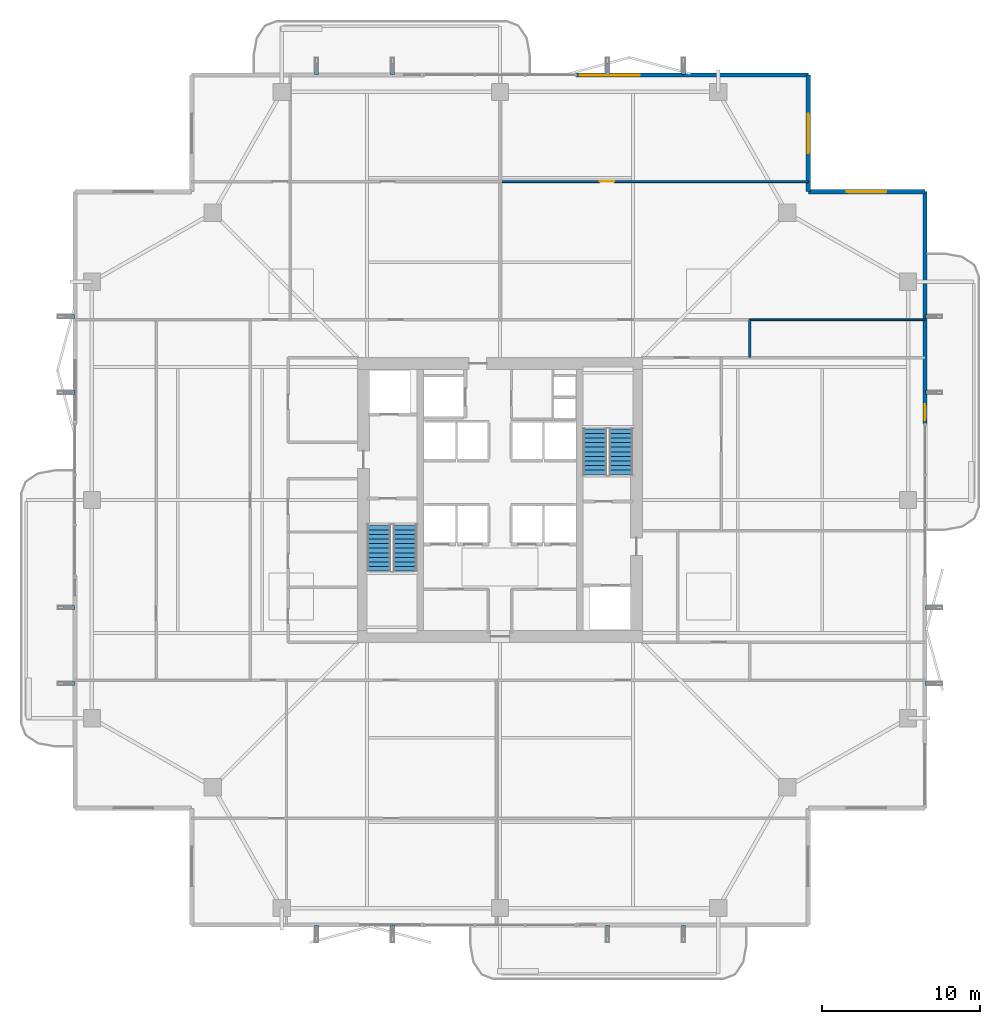
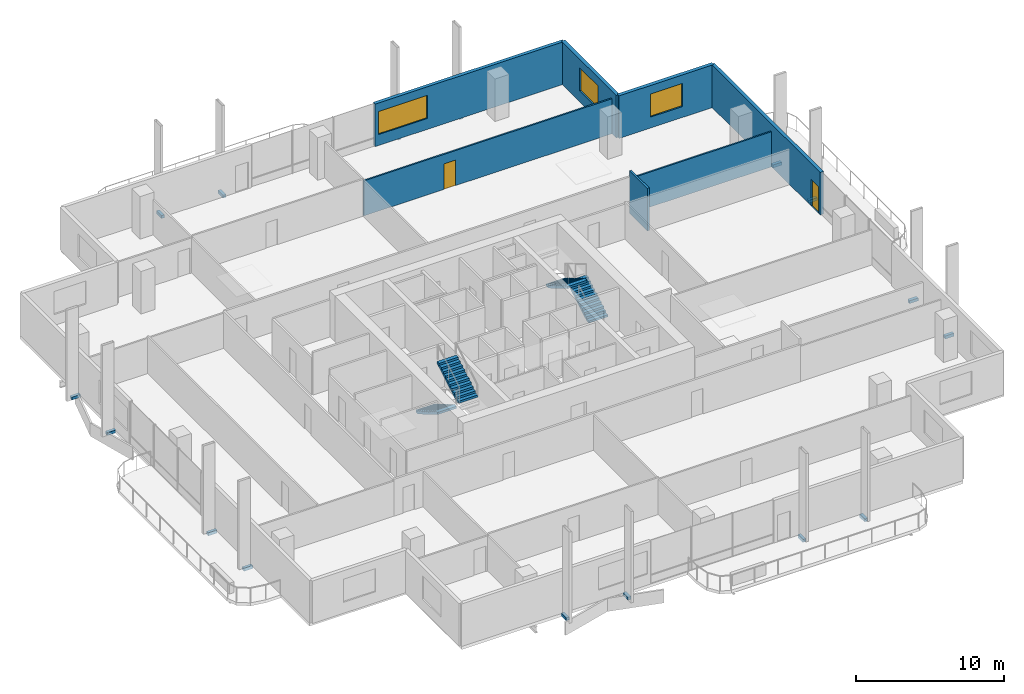
# One storey, part 20 of 24: 16 discrete accessories, 7 walls, 4 stair flights, 3 windows, 2 doors, 5 openings, 2 elements without a shape of their own.
"""IFC4 building model written with IfcOpenShell, lengths in metres."""

from ifc_helpers import new_model, si_unit, direction, frame, frame_2d, origin, origin_2d, place, context, subcontext, project, spatial, polyline, rectangle, outline, extrude, material, layer, layer_set, type_object, element, fill, aggregate, save


model = new_model("IFC4")

# Units and contexts
model_context = context("Model", 3, precision=1e-05, world=origin(), true_north=direction((0.0, 1.0)))
body_context = subcontext(model_context, "Body", "Model", "MODEL_VIEW")
ifc_project = project(units=[si_unit("LENGTHUNIT", "METRE"), si_unit("AREAUNIT", "SQUARE_METRE"), si_unit("VOLUMEUNIT", "CUBIC_METRE"), si_unit("PLANEANGLEUNIT", "RADIAN"), si_unit("MASSUNIT", "GRAM", prefix="KILO")], contexts=[model_context])

# Site, building, storey
site_placement = place(None, origin())
site = spatial("IfcSite", under=ifc_project, at=site_placement, CompositionType="ELEMENT")
building_placement = place(site_placement, origin())
building = spatial("IfcBuilding", under=site, at=building_placement, Name="Belovzor Exchange Tower", CompositionType="ELEMENT")
storey_placement = place(building_placement, frame((0.0, 0.0, 226.199951171875)))
storey = spatial("IfcBuildingStorey", under=building, at=storey_placement, Name="L56", CompositionType="ELEMENT", Elevation=226.199951171875)

# Wall, opening, door
ifc_material_1 = material(Name="Acoustic Plasterboard on Galvanised Studs", Category="gypsum")
ifc_layer_1 = layer(ifc_material_1, 0.1201171875)
ifc_layer_set_1 = layer_set([ifc_layer_1], Name="Acoustic Plasterboard on Galvanised Studs")
wall_type_1 = type_object("IfcWallType", Name="Acoustic Double-Stud Partition Wall 120", PredefinedType="PARTITIONING", material=ifc_layer_set_1)
wall_1_placement = place(storey_placement, frame((28.864990234375, 48.93505859375, 0.0), z_axis=(0.0, 0.0, 1.0), x_axis=(1.0, 0.0, 0.0)))
wall_1 = element("IfcWall", 1, at=wall_1_placement, inside=storey, type_object=wall_type_1, Name="W-P120 Partition Wall W-L56-NHDIV-2", PredefinedType="PARTITIONING", context=body_context, shape_type="SweptSolid", body=[
    extrude(rectangle(XDim=19.43505859375, YDim=0.1201171875, at=frame_2d((9.717529296875, 0.0))), origin(), (0.0, 0.0, 1.0), 2.885009765625),
])
opening_1_placement = place(wall_1_placement, frame((6.2451171875, 0.0, 0.0)))
opening_1 = element("IfcOpeningElement", 2, at=opening_1_placement, cuts=wall_1, Name="Opening D-INT-090", PredefinedType="OPENING", context=body_context, shape_type="SweptSolid", body=[
    extrude(rectangle(XDim=0.89990234375, YDim=2.10009765625, at=frame_2d((0.449951171875, 1.050048828125))), frame((0.0, 0.070068359375, 0.0), z_axis=(0.0, -1.0, 0.0), x_axis=(1.0, 0.0, 0.0)), (0.0, 0.0, 1.0), 0.14013671875),
])
ifc_material_2 = material(Name="Veneered Hardwood Acoustic Leaf", Category="wood")
door_type_1 = type_object("IfcDoorType", Name="Trading Suite Acoustic Single Door 900x2100", OperationType="NOTDEFINED", PredefinedType="DOOR", material=ifc_material_2)
door_1_placement = place(opening_1_placement, origin())
door_1 = element("IfcDoor", 3, at=door_1_placement, inside=storey, type_object=door_type_1, Name="D-INT-090 Trading Suite Acoustic Single Door 900x2100", OperationType="SINGLE_SWING_RIGHT", OverallHeight=2.10009765625, OverallWidth=0.89990234375, PredefinedType="DOOR", context=body_context, shape_type="SweptSolid", body=[
    extrude(rectangle(XDim=0.89990234375, YDim=2.10009765625, at=frame_2d((0.449951171875, 1.050048828125))), frame((0.0, 0.02490234375, 0.0), z_axis=(0.0, -1.0, 0.0), x_axis=(1.0, 0.0, 0.0)), (0.0, 0.0, 1.0), 0.050048828125),
])
fill(opening_1, door_1)

# Walls
wall_2_placement = place(storey_placement, frame((44.60009765625, 40.199951171875, 0.0), z_axis=(0.0, 0.0, 1.0), x_axis=(1.0, 0.0, 0.0)))
element("IfcWall", 4, at=wall_2_placement, inside=storey, type_object=wall_type_1, Name="W-P120 Partition Wall W-L56-END-NE", PredefinedType="PARTITIONING", context=body_context, shape_type="SweptSolid", body=[
    extrude(rectangle(XDim=11.06982421875, YDim=0.1201171875, at=frame_2d((5.534912109375, 0.0))), origin(), (0.0, 0.0, 1.0), 2.885009765625),
])
ifc_material_3 = material(Name="Fire-Rated Gypsum Block and Mineral Wool", Category="gypsum")
ifc_layer_2 = layer(ifc_material_3, 0.14990234375)
ifc_layer_set_2 = layer_set([ifc_layer_2], Name="Fire-Rated Gypsum Block and Mineral Wool")
wall_type_2 = type_object("IfcWallType", Name="Fire-Rated Gypsum Block Corridor Wall 150", PredefinedType="PARTITIONING", material=ifc_layer_set_2)
wall_3_placement = place(storey_placement, frame((44.60009765625, 37.800048828125, 0.0), z_axis=(0.0, 0.0, 1.0), x_axis=(0.0, 1.0, 0.0)))
element("IfcWall", 5, at=wall_3_placement, inside=storey, type_object=wall_type_2, Name="W-P150 Partition Wall W-L56-END-EN", PredefinedType="PARTITIONING", context=body_context, shape_type="SweptSolid", body=[
    extrude(rectangle(XDim=2.39990234375, YDim=0.14990234375, at=frame_2d((1.199951171875, 0.0))), origin(), (0.0, 0.0, 1.0), 3.5),
])

# Wall, opening, window
ifc_material_4 = material(Name="Precast concrete C40/50", Category="concrete")
ifc_layer_3 = layer(ifc_material_4, 0.280029296875)
ifc_layer_set_3 = layer_set([ifc_layer_3], Name="Precast concrete C40/50")
wall_type_3 = type_object("IfcWallType", Name="Precast Concrete Notched Corner Frame Wall 280", PredefinedType="SOLIDWALL", material=ifc_layer_set_3)
wall_4_placement = place(storey_placement, frame((48.300048828125, 55.669921875, 0.0), z_axis=(0.0, 0.0, 1.0), x_axis=(0.0, -1.0, 0.0)))
wall_4 = element("IfcWall", 6, at=wall_4_placement, inside=storey, type_object=wall_type_3, Name="W-CRN280 Precast Concrete Notched Corner Frame Wall 280 L56", PredefinedType="SOLIDWALL", context=body_context, shape_type="SweptSolid", body=[
    extrude(rectangle(XDim=7.369873046875, YDim=0.280029296875, at=frame_2d((3.68505859375, 0.0))), origin(), (0.0, 0.0, 1.0), 3.5),
])
opening_2_placement = place(wall_4_placement, frame((2.43505859375, 0.0, 0.89990234375)))
opening_2 = element("IfcOpeningElement", 7, at=opening_2_placement, cuts=wall_4, Name="Opening WN-CRN250", PredefinedType="OPENING", context=body_context, shape_type="SweptSolid", body=[
    extrude(rectangle(XDim=2.5, YDim=1.89990234375, at=frame_2d((1.25, 0.949951171875))), frame((0.0, 0.14990234375, 0.0), z_axis=(0.0, -1.0, 0.0), x_axis=(1.0, 0.0, 0.0)), (0.0, 0.0, 1.0), 0.300048828125),
])
ifc_material_5 = material(Name="Thermally Broken Aluminium and Triple Glazing", Category="aluminium")
window_type_1 = type_object("IfcWindowType", Name="Streamline Moderne Corner Wrap Ribbon Window 2500x1900", PartitioningType="SINGLE_PANEL", PredefinedType="WINDOW", material=ifc_material_5)
window_1_placement = place(opening_2_placement, origin())
window_1 = element("IfcWindow", 8, at=window_1_placement, inside=storey, type_object=window_type_1, Name="WN-CRN250 Streamline Moderne Corner Wrap Ribbon Window 2500x1900", OverallHeight=1.89990234375, OverallWidth=2.5, PartitioningType="SINGLE_PANEL", PredefinedType="WINDOW", context=body_context, shape_type="SweptSolid", body=[
    extrude(rectangle(XDim=2.5, YDim=1.89990234375, at=frame_2d((1.25, 0.949951171875))), frame((0.0, 0.030029296875, 0.0), z_axis=(0.0, -1.0, 0.0), x_axis=(1.0, 0.0, 0.0)), (0.0, 0.0, 1.0), 0.06005859375),
])
fill(opening_2, window_1)

wall_5_placement = place(storey_placement, frame((48.300048828125, 48.300048828125, 0.0), z_axis=(0.0, 0.0, 1.0), x_axis=(1.0, 0.0, 0.0)))
wall_5 = element("IfcWall", 9, at=wall_5_placement, inside=storey, type_object=wall_type_3, Name="W-CRN280 Precast Concrete Notched Corner Frame Wall 280 L56", PredefinedType="SOLIDWALL", context=body_context, shape_type="SweptSolid", body=[
    extrude(rectangle(XDim=7.369873046875, YDim=0.280029296875, at=frame_2d((3.68505859375, 0.0))), origin(), (0.0, 0.0, 1.0), 3.5),
])
opening_3_placement = place(wall_5_placement, frame((2.43505859375, 0.0, 0.89990234375)))
opening_3 = element("IfcOpeningElement", 10, at=opening_3_placement, cuts=wall_5, Name="Opening WN-CRN250", PredefinedType="OPENING", context=body_context, shape_type="SweptSolid", body=[
    extrude(rectangle(XDim=2.5, YDim=1.89990234375, at=frame_2d((1.25, 0.949951171875))), frame((0.0, 0.14990234375, 0.0), z_axis=(0.0, -1.0, 0.0), x_axis=(1.0, 0.0, 0.0)), (0.0, 0.0, 1.0), 0.300048828125),
])
window_2_placement = place(opening_3_placement, origin())
window_2 = element("IfcWindow", 11, at=window_2_placement, inside=storey, type_object=window_type_1, Name="WN-CRN250 Streamline Moderne Corner Wrap Ribbon Window 2500x1900", OverallHeight=1.89990234375, OverallWidth=2.5, PartitioningType="SINGLE_PANEL", PredefinedType="WINDOW", context=body_context, shape_type="SweptSolid", body=[
    extrude(rectangle(XDim=2.5, YDim=1.89990234375, at=frame_2d((1.25, 0.949951171875))), frame((0.0, 0.030029296875, 0.0), z_axis=(0.0, -1.0, 0.0), x_axis=(1.0, 0.0, 0.0)), (0.0, 0.0, 1.0), 0.06005859375),
])
fill(opening_3, window_2)

ifc_material_6 = material(Name="Precast concrete C40/50", Category="concrete")
ifc_layer_4 = layer(ifc_material_6, 0.260009765625)
ifc_layer_set_4 = layer_set([ifc_layer_4], Name="Precast concrete C40/50")
wall_type_4 = type_object("IfcWallType", Name="Precast Concrete Perimeter Loggia Frame Wall 260", PredefinedType="SOLIDWALL", material=ifc_layer_set_4)
wall_6_placement = place(storey_placement, frame((33.60009765625, 55.669921875, 0.0), z_axis=(0.0, 0.0, 1.0), x_axis=(1.0, 0.0, 0.0)))
wall_6 = element("IfcWall", 12, at=wall_6_placement, inside=storey, type_object=wall_type_4, Name="W-EXT260 Precast Concrete Perimeter Loggia Frame Wall 260 L56", PredefinedType="SOLIDWALL", context=body_context, shape_type="SweptSolid", body=[
    extrude(rectangle(XDim=14.699951171875, YDim=0.260009765625, at=frame_2d((7.35009765625, 0.0))), origin(), (0.0, 0.0, 1.0), 3.5),
])
opening_4_placement = place(wall_6_placement, frame((0.25, 0.0, 0.89990234375)))
opening_4 = element("IfcOpeningElement", 13, at=opening_4_placement, cuts=wall_6, Name="Opening WN-RIB380", PredefinedType="OPENING", context=body_context, shape_type="SweptSolid", body=[
    extrude(rectangle(XDim=3.800048828125, YDim=1.89990234375, at=frame_2d((1.89990234375, 0.949951171875))), frame((0.0, 0.139892578125, 0.0), z_axis=(0.0, -1.0, 0.0), x_axis=(1.0, 0.0, 0.0)), (0.0, 0.0, 1.0), 0.280029296875),
])
ifc_material_7 = material(Name="Thermally Broken Aluminium and Triple Glazing", Category="aluminium")
window_type_2 = type_object("IfcWindowType", Name="Streamline Moderne Horizontal Ribbon Window 3800x1900", PartitioningType="SINGLE_PANEL", PredefinedType="WINDOW", material=ifc_material_7)
window_3_placement = place(opening_4_placement, origin())
window_3 = element("IfcWindow", 14, at=window_3_placement, inside=storey, type_object=window_type_2, Name="WN-RIB380 Streamline Moderne Horizontal Ribbon Window 3800x1900", OverallHeight=1.89990234375, OverallWidth=3.800048828125, PartitioningType="SINGLE_PANEL", PredefinedType="WINDOW", context=body_context, shape_type="SweptSolid", body=[
    extrude(rectangle(XDim=3.800048828125, YDim=1.89990234375, at=frame_2d((1.89990234375, 0.949951171875))), frame((0.0, 0.030029296875, 0.0), z_axis=(0.0, -1.0, 0.0), x_axis=(1.0, 0.0, 0.0)), (0.0, 0.0, 1.0), 0.06005859375),
])
fill(opening_4, window_3)

# Wall, opening, door
wall_7_placement = place(storey_placement, frame((55.669921875, 48.300048828125, 0.0), z_axis=(0.0, 0.0, 1.0), x_axis=(0.0, -1.0, 0.0)))
wall_7 = element("IfcWall", 15, at=wall_7_placement, inside=storey, type_object=wall_type_4, Name="W-EXT260 Precast Concrete Perimeter Loggia Frame Wall 260 L56", PredefinedType="SOLIDWALL", context=body_context, shape_type="SweptSolid", body=[
    extrude(rectangle(XDim=14.699951171875, YDim=0.260009765625, at=frame_2d((7.35009765625, 0.0))), origin(), (0.0, 0.0, 1.0), 3.5),
])
opening_5_placement = place(wall_7_placement, frame((13.449951171875, 0.0, 0.0)))
opening_5 = element("IfcOpeningElement", 16, at=opening_5_placement, cuts=wall_7, Name="Opening D-BAL100", PredefinedType="OPENING", context=body_context, shape_type="SweptSolid", body=[
    extrude(rectangle(XDim=1.0, YDim=2.199951171875, at=frame_2d((0.5, 1.10009765625))), frame((0.0, 0.139892578125, 0.0), z_axis=(0.0, -1.0, 0.0), x_axis=(1.0, 0.0, 0.0)), (0.0, 0.0, 1.0), 0.280029296875),
])
ifc_material_8 = material(Name="Thermally Broken Anodised Aluminium and Laminated Glass", Category="aluminium")
door_type_2 = type_object("IfcDoorType", Name="Planted Loggia Terrace Glazed Door 1000x2200", OperationType="SINGLE_SWING_LEFT", PredefinedType="DOOR", material=ifc_material_8)
door_2_placement = place(opening_5_placement, origin())
door_2 = element("IfcDoor", 17, at=door_2_placement, inside=storey, type_object=door_type_2, Name="D-BAL100 Balcony Terrace Door L56 E", OperationType="SINGLE_SWING_LEFT", OverallHeight=2.199951171875, OverallWidth=1.0, PredefinedType="DOOR", context=body_context, shape_type="SweptSolid", body=[
    extrude(rectangle(XDim=1.0, YDim=2.199951171875, at=frame_2d((0.5, 1.10009765625))), frame((0.0, 0.02490234375, 0.0), z_axis=(0.0, -1.0, 0.0), x_axis=(1.0, 0.0, 0.0)), (0.0, 0.0, 1.0), 0.050048828125),
])
fill(opening_5, door_2)

# Stair, stair flights
ifc_material_9 = material(Name="Concrete C40/50", Category="concrete")
stair_type = type_object("IfcStairType", Name="Reinforced Concrete Dogleg Escape Stair 1350", PredefinedType="HALF_TURN_STAIR", material=ifc_material_9)
stair_1_placement = place(storey_placement, origin())
stair_1 = element("IfcStair", 18, at=stair_1_placement, inside=storey, type_object=stair_type, Name="L56 ST-1", PredefinedType="HALF_TURN_STAIR")
ifc_material_10 = material(Name="Concrete C40/50", Category="concrete")
stair_flight_type = type_object("IfcStairFlightType", Name="Reinforced Concrete Stair Flight 1350", PredefinedType="STRAIGHT", material=ifc_material_10)
stair_flight_1_placement = place(storey_placement, frame((21.14990234375, 27.199951171875, 0.0), z_axis=(0.0, 0.0, 1.0), x_axis=(0.0, -1.0, 0.0)))
stair_flight_1 = element("IfcStairFlight", 19, at=stair_flight_1_placement, type_object=stair_flight_type, Name="ST-1 flight 1", NumberOfRisers=11, NumberOfTreads=10, PredefinedType="STRAIGHT", RiserHeight=0.170454545, TreadLength=0.29, context=body_context, shape_type="SweptSolid", body=[
    extrude(outline(polyline([(0.0, 0.0), (0.0, 0.17041015625), (0.2900390625, 0.17041015625), (0.2900390625, 0.3408203125), (0.580078125, 0.3408203125), (0.580078125, 0.511474609375), (0.8701171875, 0.511474609375), (0.8701171875, 0.681884765625), (1.159912109375, 0.681884765625), (1.159912109375, 0.852294921875), (1.449951171875, 0.852294921875), (1.449951171875, 1.022705078125), (1.739990234375, 1.022705078125), (1.739990234375, 1.193115234375), (2.030029296875, 1.193115234375), (2.030029296875, 1.363525390625), (2.320068359375, 1.363525390625), (2.320068359375, 1.5341796875), (2.610107421875, 1.5341796875), (2.610107421875, 1.70458984375), (2.89990234375, 1.70458984375), (2.89990234375, 1.875), (2.89990234375, 1.53076171875), (0.2958984375, 0.0), (0.0, 0.0)])), frame((0.0, 0.75, 0.0), z_axis=(0.0, -1.0, 0.0), x_axis=(1.0, 0.0, 0.0)), (0.0, 0.0, 1.0), 1.5),
])
stair_flight_2_placement = place(storey_placement, frame((22.800048828125, 24.300048828125, 1.875), z_axis=(0.0, 0.0, 1.0), x_axis=(0.0, 1.0, 0.0)))
stair_flight_2 = element("IfcStairFlight", 20, at=stair_flight_2_placement, type_object=stair_flight_type, Name="ST-1 flight 2", NumberOfRisers=11, NumberOfTreads=10, PredefinedType="STRAIGHT", RiserHeight=0.170454545, TreadLength=0.29, context=body_context, shape_type="SweptSolid", body=[
    extrude(outline(polyline([(0.0, 0.0), (0.0, 0.17041015625), (0.2900390625, 0.17041015625), (0.2900390625, 0.3408203125), (0.580078125, 0.3408203125), (0.580078125, 0.511474609375), (0.8701171875, 0.511474609375), (0.8701171875, 0.681884765625), (1.159912109375, 0.681884765625), (1.159912109375, 0.852294921875), (1.449951171875, 0.852294921875), (1.449951171875, 1.022705078125), (1.739990234375, 1.022705078125), (1.739990234375, 1.193115234375), (2.030029296875, 1.193115234375), (2.030029296875, 1.363525390625), (2.320068359375, 1.363525390625), (2.320068359375, 1.5341796875), (2.610107421875, 1.5341796875), (2.610107421875, 1.70458984375), (2.89990234375, 1.70458984375), (2.89990234375, 1.875), (2.89990234375, 1.53076171875), (0.2958984375, 0.0), (0.0, 0.0)])), frame((0.0, 0.75, 0.0), z_axis=(0.0, -1.0, 0.0), x_axis=(1.0, 0.0, 0.0)), (0.0, 0.0, 1.0), 1.5),
])
aggregate(stair_1, [stair_flight_1, stair_flight_2])

stair_2_placement = place(storey_placement, origin())
stair_2 = element("IfcStair", 21, at=stair_2_placement, inside=storey, type_object=stair_type, Name="L56 ST-2", PredefinedType="HALF_TURN_STAIR")
stair_flight_3_placement = place(storey_placement, frame((36.449951171875, 30.39990234375, 0.0), z_axis=(0.0, 0.0, 1.0), x_axis=(0.0, 1.0, 0.0)))
stair_flight_3 = element("IfcStairFlight", 22, at=stair_flight_3_placement, type_object=stair_flight_type, Name="ST-2 flight 1", NumberOfRisers=11, NumberOfTreads=10, PredefinedType="STRAIGHT", RiserHeight=0.170454545, TreadLength=0.29, context=body_context, shape_type="SweptSolid", body=[
    extrude(outline(polyline([(0.0, 0.0), (0.0, 0.17041015625), (0.2900390625, 0.17041015625), (0.2900390625, 0.3408203125), (0.580078125, 0.3408203125), (0.580078125, 0.511474609375), (0.8701171875, 0.511474609375), (0.8701171875, 0.681884765625), (1.159912109375, 0.681884765625), (1.159912109375, 0.852294921875), (1.449951171875, 0.852294921875), (1.449951171875, 1.022705078125), (1.739990234375, 1.022705078125), (1.739990234375, 1.193115234375), (2.030029296875, 1.193115234375), (2.030029296875, 1.363525390625), (2.320068359375, 1.363525390625), (2.320068359375, 1.5341796875), (2.610107421875, 1.5341796875), (2.610107421875, 1.70458984375), (2.89990234375, 1.70458984375), (2.89990234375, 1.875), (2.89990234375, 1.53076171875), (0.2958984375, 0.0), (0.0, 0.0)])), frame((0.0, 0.75, 0.0), z_axis=(0.0, -1.0, 0.0), x_axis=(1.0, 0.0, 0.0)), (0.0, 0.0, 1.0), 1.5),
])
stair_flight_4_placement = place(storey_placement, frame((34.800048828125, 33.300048828125, 1.875), z_axis=(0.0, 0.0, 1.0), x_axis=(0.0, -1.0, 0.0)))
stair_flight_4 = element("IfcStairFlight", 23, at=stair_flight_4_placement, type_object=stair_flight_type, Name="ST-2 flight 2", NumberOfRisers=11, NumberOfTreads=10, PredefinedType="STRAIGHT", RiserHeight=0.170454545, TreadLength=0.29, context=body_context, shape_type="SweptSolid", body=[
    extrude(outline(polyline([(0.0, 0.0), (0.0, 0.17041015625), (0.2900390625, 0.17041015625), (0.2900390625, 0.3408203125), (0.580078125, 0.3408203125), (0.580078125, 0.511474609375), (0.8701171875, 0.511474609375), (0.8701171875, 0.681884765625), (1.159912109375, 0.681884765625), (1.159912109375, 0.852294921875), (1.449951171875, 0.852294921875), (1.449951171875, 1.022705078125), (1.739990234375, 1.022705078125), (1.739990234375, 1.193115234375), (2.030029296875, 1.193115234375), (2.030029296875, 1.363525390625), (2.320068359375, 1.363525390625), (2.320068359375, 1.5341796875), (2.610107421875, 1.5341796875), (2.610107421875, 1.70458984375), (2.89990234375, 1.70458984375), (2.89990234375, 1.875), (2.89990234375, 1.53076171875), (0.2958984375, 0.0), (0.0, 0.0)])), frame((0.0, 0.75, 0.0), z_axis=(0.0, -1.0, 0.0), x_axis=(1.0, 0.0, 0.0)), (0.0, 0.0, 1.0), 1.5),
])
aggregate(stair_2, [stair_flight_3, stair_flight_4])

# Discrete accessories
ifc_material_11 = material(Name="Stainless Steel Grade 316", Category="steel")
ifc_layer_5 = layer(ifc_material_11, 0.179931640625)
ifc_layer_set_5 = layer_set([ifc_layer_5], Name="Stainless Steel Grade 316")
discrete_accessory_type = type_object("IfcDiscreteAccessoryType", Name="Stainless Steel Facade Outrigger Fixing Bracket", PredefinedType="BRACKET", material=ifc_layer_set_5)
for number, where, z_axis, x_axis, name in (
    (24, (17.199951171875, 1.5380859375, -0.2451171875), (0.0, 0.0, 1.0), (0.0, 1.0, 0.0), "BRK-FIN1 Sweeping Fin Outrigger Bracket L56 S1"),
    (25, (17.199951171875, 56.06201171875, -0.2451171875), (0.0, 0.0, 1.0), (0.0, 1.0, 0.0), "BRK-FIN1 Sweeping Fin Outrigger Bracket L56 N1"),
    (26, (1.5380859375, 17.199951171875, -0.2451171875), (0.0, 0.0, 1.0), (1.0, 0.0, 0.0), "BRK-FIN1 Sweeping Fin Outrigger Bracket L56 W1"),
    (27, (56.06201171875, 17.199951171875, -0.2451171875), (0.0, 0.0, 1.0), (1.0, 0.0, 0.0), "BRK-FIN1 Sweeping Fin Outrigger Bracket L56 E1"),
    (28, (22.0, 1.5380859375, -0.2451171875), (0.0, 0.0, 1.0), (0.0, 1.0, 0.0), "BRK-FIN1 Sweeping Fin Outrigger Bracket L56 S2"),
    (29, (22.0, 56.06201171875, -0.2451171875), (0.0, 0.0, 1.0), (0.0, 1.0, 0.0), "BRK-FIN1 Sweeping Fin Outrigger Bracket L56 N2"),
    (30, (1.5380859375, 22.0, -0.2451171875), (0.0, 0.0, 1.0), (1.0, 0.0, 0.0), "BRK-FIN1 Sweeping Fin Outrigger Bracket L56 W2"),
    (31, (56.06201171875, 22.0, -0.2451171875), (0.0, 0.0, 1.0), (1.0, 0.0, 0.0), "BRK-FIN1 Sweeping Fin Outrigger Bracket L56 E2"),
    (32, (35.60009765625, 1.5380859375, -0.2451171875), (0.0, 0.0, 1.0), (0.0, 1.0, 0.0), "BRK-FIN1 Sweeping Fin Outrigger Bracket L56 S3"),
    (33, (35.60009765625, 56.06201171875, -0.2451171875), (0.0, 0.0, 1.0), (0.0, 1.0, 0.0), "BRK-FIN1 Sweeping Fin Outrigger Bracket L56 N3"),
    (34, (1.5380859375, 35.60009765625, -0.2451171875), (0.0, 0.0, 1.0), (1.0, 0.0, 0.0), "BRK-FIN1 Sweeping Fin Outrigger Bracket L56 W3"),
    (35, (56.06201171875, 35.60009765625, -0.2451171875), (0.0, 0.0, 1.0), (1.0, 0.0, 0.0), "BRK-FIN1 Sweeping Fin Outrigger Bracket L56 E3"),
    (36, (40.39990234375, 1.5380859375, -0.2451171875), (0.0, 0.0, 1.0), (0.0, 1.0, 0.0), "BRK-FIN1 Sweeping Fin Outrigger Bracket L56 S4"),
    (37, (40.39990234375, 56.06201171875, -0.2451171875), (0.0, 0.0, 1.0), (0.0, 1.0, 0.0), "BRK-FIN1 Sweeping Fin Outrigger Bracket L56 N4"),
    (38, (1.5380859375, 40.39990234375, -0.2451171875), (0.0, 0.0, 1.0), (1.0, 0.0, 0.0), "BRK-FIN1 Sweeping Fin Outrigger Bracket L56 W4"),
    (39, (56.06201171875, 40.39990234375, -0.2451171875), (0.0, 0.0, 1.0), (1.0, 0.0, 0.0), "BRK-FIN1 Sweeping Fin Outrigger Bracket L56 E4"),
):
    element("IfcDiscreteAccessory", number, at=place(storey_placement, frame(where, z_axis=z_axis, x_axis=x_axis)), inside=storey, type_object=discrete_accessory_type, Name=name, PredefinedType="BRACKET", context=body_context, shape_type="SweptSolid", body=[
        extrude(rectangle(XDim=0.68505859375, YDim=0.239990234375, at=origin_2d()), origin(), (0.0, 0.0, 1.0), 0.239990234375),
    ])

save(model, "model.ifc")
